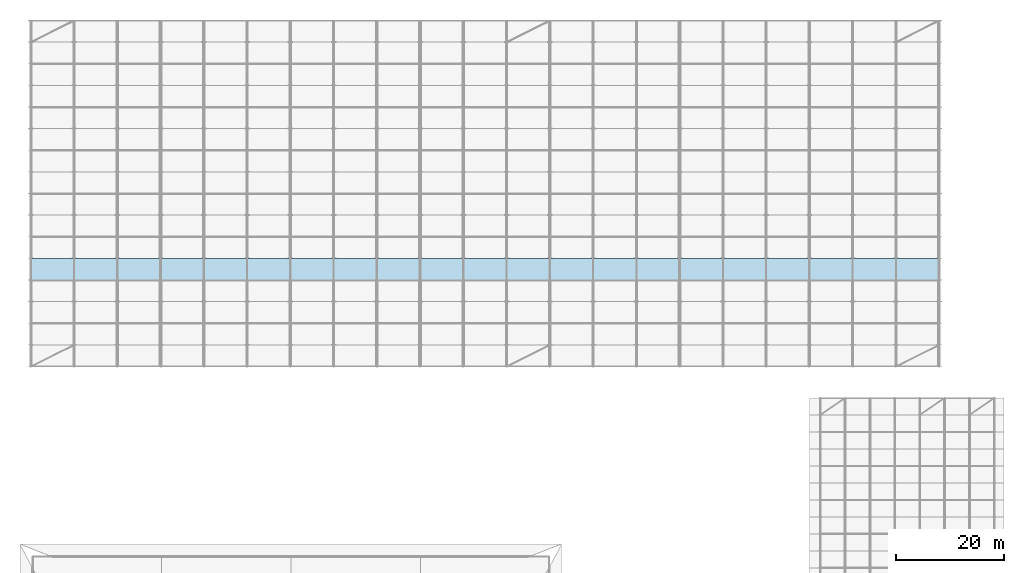
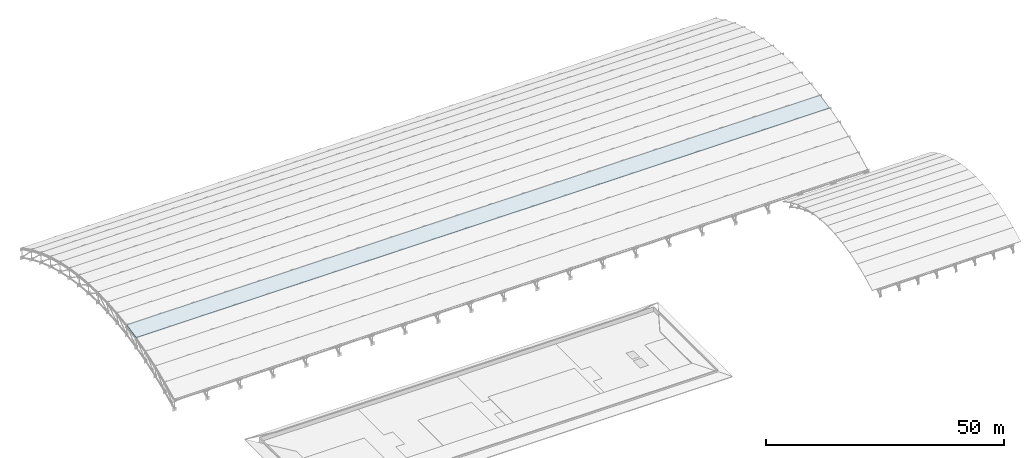
# One storey, part 70 of 98: 1 slab.
"""IFC4 building model written with IfcOpenShell, lengths in metres."""

from ifc_helpers import new_model, si_unit, direction, frame, origin, place, context, subcontext, project, spatial, polyline, outline, extrude, material, layer, layer_set, type_object, element, save


model = new_model("IFC4")

# Units and contexts
model_context = context("Model", 3, precision=1e-05, world=origin(), true_north=direction((0.0, 1.0)))
body_context = subcontext(model_context, "Body", "Model", "MODEL_VIEW")
ifc_project = project(units=[si_unit("LENGTHUNIT", "METRE"), si_unit("AREAUNIT", "SQUARE_METRE"), si_unit("VOLUMEUNIT", "CUBIC_METRE"), si_unit("PLANEANGLEUNIT", "RADIAN"), si_unit("MASSUNIT", "GRAM", prefix="KILO")], contexts=[model_context])

# Site, building, storey
site_placement = place(None, origin())
site = spatial("IfcSite", under=ifc_project, at=site_placement, CompositionType="ELEMENT")
building_placement = place(site_placement, origin())
building = spatial("IfcBuilding", under=site, at=building_placement, Name="Tlacozan Convention Centre", CompositionType="ELEMENT")
storey_placement = place(building_placement, frame((0.0, 0.0, 25.800048828125)))
storey = spatial("IfcBuildingStorey", under=building, at=storey_placement, Name="Roof", CompositionType="ELEMENT", Elevation=25.800048828125)

# Slab
ifc_material = material(Name="Concrete C40/50", Category="concrete")
ifc_layer = layer(ifc_material, 0.179931640625)
ifc_layer_set = layer_set([ifc_layer], Name="Concrete C40/50")
slab_type = type_object("IfcSlabType", Name="Exhibition Arched Roof Deck 180", PredefinedType="ROOF", material=ifc_layer_set)
slab_placement = place(storey_placement, frame((0.0, 78.0, -4.19921875), z_axis=(0.0, -0.205995430674, 0.978552953366), x_axis=(1.0, 0.0, 0.0)))
element("IfcSlab", 1, at=slab_placement, inside=storey, type_object=slab_type, Name="V2A Arched Roof Facet Slab 5", PredefinedType="ROOF", context=body_context, shape_type="SweptSolid", body=[
    extrude(outline(polyline([(0.0, 0.0), (168.0, 0.0), (168.0, 4.0876684151230736), (0.0, 4.0876684151230736), (0.0, 0.0)])), origin(), (0.0, 0.0, -1.0), 0.179931640625),
])

save(model, "model.ifc")
